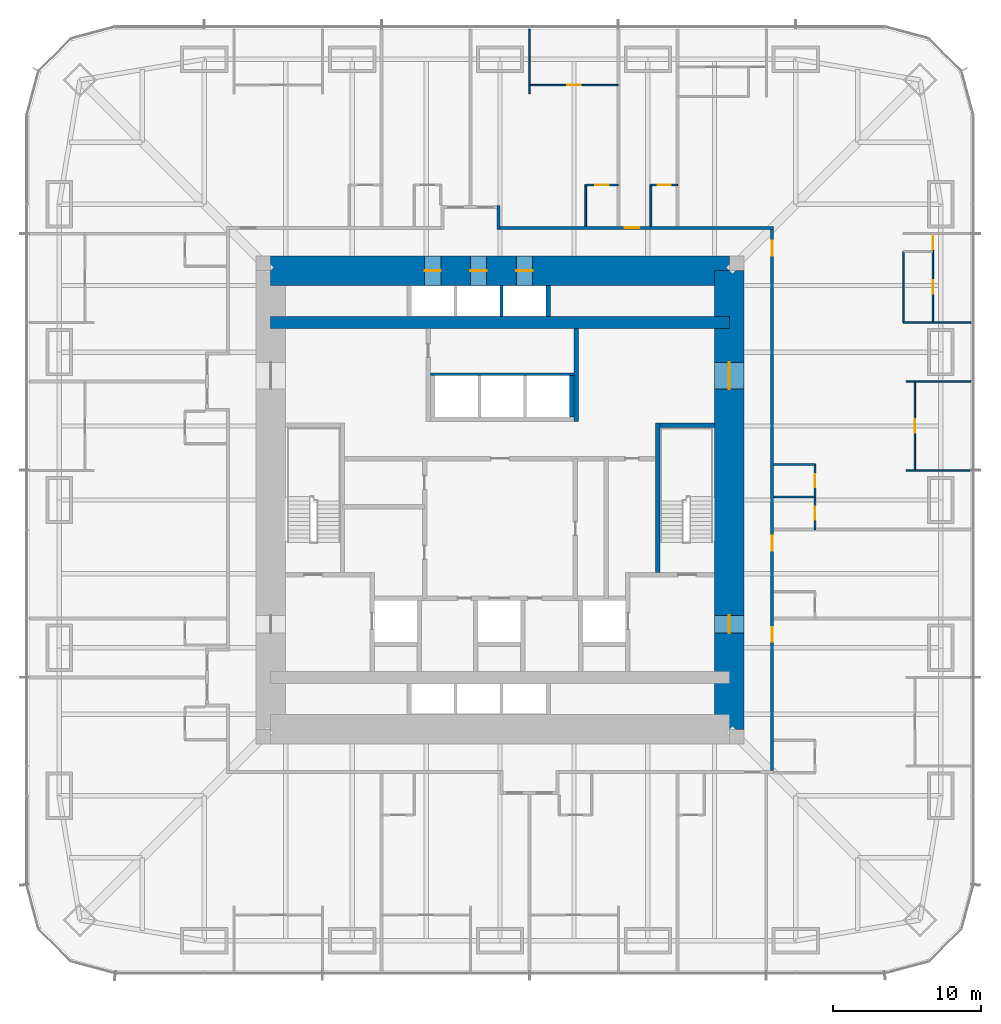
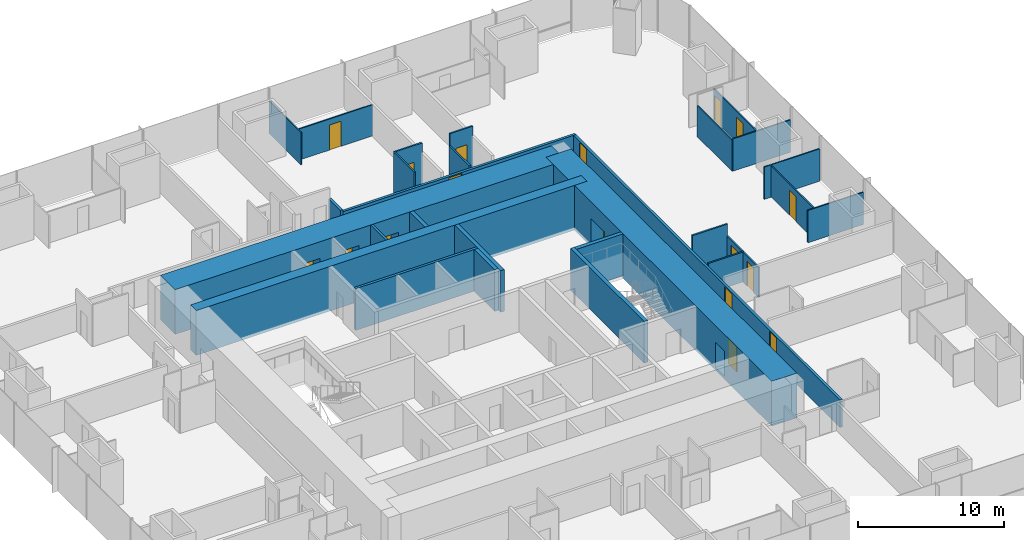
# One storey, part 18 of 20: 28 walls, 17 doors, 17 openings.
"""IFC4 building model written with IfcOpenShell, lengths in metres."""

from ifc_helpers import new_model, si_unit, direction, frame, frame_2d, origin, place, context, subcontext, project, spatial, rectangle, extrude, material, layer, layer_set, type_object, element, fill, save


model = new_model("IFC4")

# Units and contexts
model_context = context("Model", 3, precision=1e-05, world=origin(), true_north=direction((0.0, 1.0)))
body_context = subcontext(model_context, "Body", "Model", "MODEL_VIEW")
ifc_project = project(units=[si_unit("LENGTHUNIT", "METRE"), si_unit("AREAUNIT", "SQUARE_METRE"), si_unit("VOLUMEUNIT", "CUBIC_METRE"), si_unit("PLANEANGLEUNIT", "RADIAN"), si_unit("MASSUNIT", "GRAM", prefix="KILO")], contexts=[model_context])

# Site, building, storey
site_placement = place(None, origin())
site = spatial("IfcSite", under=ifc_project, at=site_placement, CompositionType="ELEMENT")
building_placement = place(site_placement, origin())
building = spatial("IfcBuilding", under=site, at=building_placement, Name="Khuree Lantern Residences", CompositionType="ELEMENT")
storey_placement = place(building_placement, frame((0.0, 0.0, 28.5)))
storey = spatial("IfcBuildingStorey", under=building, at=storey_placement, Name="L06", CompositionType="ELEMENT", Elevation=28.5)

# Wall, openings, doors
ifc_material_1 = material(Name="Moisture-resistant gypsum board on steel studs", Category="steel")
ifc_layer_1 = layer(ifc_material_1, 0.125)
ifc_layer_set_1 = layer_set([ifc_layer_1], Name="BATHROOM WALL BTW125")
wall_type_1 = type_object("IfcWallType", Name="BATHROOM WALL BTW125", PredefinedType="PARTITIONING", material=ifc_layer_set_1)
wall_1_placement = place(storey_placement, frame((21.300048828125, -2.0, 0.0), z_axis=(0.0, 0.0, 1.0), x_axis=(0.0, 1.0, 0.0)))
wall_1 = element("IfcWall", 1, at=wall_1_placement, inside=storey, type_object=wall_type_1, Name="L06 BATHROOM WALL 02", PredefinedType="PARTITIONING", context=body_context, shape_type="SweptSolid", body=[
    extrude(rectangle(XDim=4.39990234375, YDim=0.125, at=frame_2d((2.199951171875, 0.0))), origin(), (0.0, 0.0, 1.0), 2.491943359375),
])
opening_1_placement = place(wall_1_placement, frame((0.64990234375, 0.0, 0.0)))
opening_1 = element("IfcOpeningElement", 2, at=opening_1_placement, cuts=wall_1, Name="Opening 06-028", PredefinedType="OPENING", context=body_context, shape_type="SweptSolid", body=[
    extrude(rectangle(XDim=0.89990234375, YDim=2.10009765625, at=frame_2d((0.449951171875, 1.050048828125))), frame((0.0, 0.072509765625, 0.0), z_axis=(0.0, -1.0, 0.0), x_axis=(1.0, 0.0, 0.0)), (0.0, 0.0, 1.0), 0.14501953125),
])
opening_2_placement = place(wall_1_placement, frame((2.85009765625, 0.0, 0.0)))
opening_2 = element("IfcOpeningElement", 3, at=opening_2_placement, cuts=wall_1, Name="Opening 06-029", PredefinedType="OPENING", context=body_context, shape_type="SweptSolid", body=[
    extrude(rectangle(XDim=0.89990234375, YDim=2.10009765625, at=frame_2d((0.449951171875, 1.050048828125))), frame((0.0, 0.072509765625, 0.0), z_axis=(0.0, -1.0, 0.0), x_axis=(1.0, 0.0, 0.0)), (0.0, 0.0, 1.0), 0.14501953125),
])
ifc_material_2 = material(Name="Timber door leaf in hardwood frame", Category="wood")
door_type_1 = type_object("IfcDoorType", Name="BATHROOM DOOR 900X2100", OperationType="SINGLE_SWING_LEFT", PredefinedType="DOOR", material=ifc_material_2)
door_1_placement = place(opening_1_placement, origin())
door_1 = element("IfcDoor", 4, at=door_1_placement, inside=storey, type_object=door_type_1, Name="Bathroom door 06-028", OperationType="SINGLE_SWING_LEFT", OverallHeight=2.10009765625, OverallWidth=0.89990234375, PredefinedType="DOOR", context=body_context, shape_type="SweptSolid", body=[
    extrude(rectangle(XDim=0.89990234375, YDim=2.10009765625, at=frame_2d((0.449951171875, 1.050048828125))), frame((0.0, 0.02490234375, 0.0), z_axis=(0.0, -1.0, 0.0), x_axis=(1.0, 0.0, 0.0)), (0.0, 0.0, 1.0), 0.050048828125),
])
fill(opening_1, door_1)
door_2_placement = place(opening_2_placement, origin())
door_2 = element("IfcDoor", 5, at=door_2_placement, inside=storey, type_object=door_type_1, Name="Bathroom door 06-029", OperationType="SINGLE_SWING_LEFT", OverallHeight=2.10009765625, OverallWidth=0.89990234375, PredefinedType="DOOR", context=body_context, shape_type="SweptSolid", body=[
    extrude(rectangle(XDim=0.89990234375, YDim=2.10009765625, at=frame_2d((0.449951171875, 1.050048828125))), frame((0.0, 0.02490234375, 0.0), z_axis=(0.0, -1.0, 0.0), x_axis=(1.0, 0.0, 0.0)), (0.0, 0.0, 1.0), 0.050048828125),
])
fill(opening_2, door_2)

# Walls
wall_2_placement = place(storey_placement, frame((18.5, 0.199951171875, 0.0), z_axis=(0.0, 0.0, 1.0), x_axis=(1.0, 0.0, 0.0)))
element("IfcWall", 6, at=wall_2_placement, inside=storey, type_object=wall_type_1, Name="L06 BATHROOM WALL 02", PredefinedType="PARTITIONING", context=body_context, shape_type="SweptSolid", body=[
    extrude(rectangle(XDim=2.800048828125, YDim=0.125, at=frame_2d((1.39990234375, 0.0))), origin(), (0.0, 0.0, 1.0), 2.491943359375),
])
wall_3_placement = place(storey_placement, frame((18.5, 2.39990234375, 0.0), z_axis=(0.0, 0.0, 1.0), x_axis=(1.0, 0.0, 0.0)))
element("IfcWall", 7, at=wall_3_placement, inside=storey, type_object=wall_type_1, Name="L06 BATHROOM WALL 02", PredefinedType="PARTITIONING", context=body_context, shape_type="SweptSolid", body=[
    extrude(rectangle(XDim=2.800048828125, YDim=0.125, at=frame_2d((1.39990234375, 0.0))), origin(), (0.0, 0.0, 1.0), 3.5),
])

# Wall, opening, door
wall_4_placement = place(storey_placement, frame((12.0, 21.300048828125, 0.0), z_axis=(0.0, 0.0, 1.0), x_axis=(-1.0, 0.0, 0.0)))
wall_4 = element("IfcWall", 8, at=wall_4_placement, inside=storey, type_object=wall_type_1, Name="L06 BATHROOM WALL 03", PredefinedType="PARTITIONING", context=body_context, shape_type="SweptSolid", body=[
    extrude(rectangle(XDim=1.800048828125, YDim=0.125, at=frame_2d((0.89990234375, 0.0))), origin(), (0.0, 0.0, 1.0), 3.5),
])
opening_3_placement = place(wall_4_placement, frame((0.449951171875, 0.0, 0.0)))
opening_3 = element("IfcOpeningElement", 9, at=opening_3_placement, cuts=wall_4, Name="Opening 06-031", PredefinedType="OPENING", context=body_context, shape_type="SweptSolid", body=[
    extrude(rectangle(XDim=0.89990234375, YDim=2.10009765625, at=frame_2d((0.449951171875, 1.050048828125))), frame((0.0, 0.072509765625, 0.0), z_axis=(0.0, -1.0, 0.0), x_axis=(1.0, 0.0, 0.0)), (0.0, 0.0, 1.0), 0.14501953125),
])
door_3_placement = place(opening_3_placement, origin())
door_3 = element("IfcDoor", 10, at=door_3_placement, inside=storey, type_object=door_type_1, Name="Bathroom door 06-031", OperationType="SINGLE_SWING_LEFT", OverallHeight=2.10009765625, OverallWidth=0.89990234375, PredefinedType="DOOR", context=body_context, shape_type="SweptSolid", body=[
    extrude(rectangle(XDim=0.89990234375, YDim=2.10009765625, at=frame_2d((0.449951171875, 1.050048828125))), frame((0.0, 0.02490234375, 0.0), z_axis=(0.0, -1.0, 0.0), x_axis=(1.0, 0.0, 0.0)), (0.0, 0.0, 1.0), 0.050048828125),
])
fill(opening_3, door_3)

# Wall
wall_5_placement = place(storey_placement, frame((10.199951171875, 18.5, 0.0), z_axis=(0.0, 0.0, 1.0), x_axis=(0.0, 1.0, 0.0)))
element("IfcWall", 11, at=wall_5_placement, inside=storey, type_object=wall_type_1, Name="L06 BATHROOM WALL 03", PredefinedType="PARTITIONING", context=body_context, shape_type="SweptSolid", body=[
    extrude(rectangle(XDim=2.800048828125, YDim=0.125, at=frame_2d((1.39990234375, 0.0))), origin(), (0.0, 0.0, 1.0), 2.491943359375),
])

# Wall, opening, door
wall_6_placement = place(storey_placement, frame((8.0, 21.300048828125, 0.0), z_axis=(0.0, 0.0, 1.0), x_axis=(-1.0, 0.0, 0.0)))
wall_6 = element("IfcWall", 12, at=wall_6_placement, inside=storey, type_object=wall_type_1, Name="L06 BATHROOM WALL 04", PredefinedType="PARTITIONING", context=body_context, shape_type="SweptSolid", body=[
    extrude(rectangle(XDim=2.199951171875, YDim=0.125, at=frame_2d((1.10009765625, 0.0))), origin(), (0.0, 0.0, 1.0), 3.5),
])
opening_4_placement = place(wall_6_placement, frame((0.64990234375, 0.0, 0.0)))
opening_4 = element("IfcOpeningElement", 13, at=opening_4_placement, cuts=wall_6, Name="Opening 06-034", PredefinedType="OPENING", context=body_context, shape_type="SweptSolid", body=[
    extrude(rectangle(XDim=0.89990234375, YDim=2.10009765625, at=frame_2d((0.449951171875, 1.050048828125))), frame((0.0, 0.072509765625, 0.0), z_axis=(0.0, -1.0, 0.0), x_axis=(1.0, 0.0, 0.0)), (0.0, 0.0, 1.0), 0.14501953125),
])
door_4_placement = place(opening_4_placement, origin())
door_4 = element("IfcDoor", 14, at=door_4_placement, inside=storey, type_object=door_type_1, Name="Bathroom door 06-034", OperationType="SINGLE_SWING_LEFT", OverallHeight=2.10009765625, OverallWidth=0.89990234375, PredefinedType="DOOR", context=body_context, shape_type="SweptSolid", body=[
    extrude(rectangle(XDim=0.89990234375, YDim=2.10009765625, at=frame_2d((0.449951171875, 1.050048828125))), frame((0.0, 0.02490234375, 0.0), z_axis=(0.0, -1.0, 0.0), x_axis=(1.0, 0.0, 0.0)), (0.0, 0.0, 1.0), 0.050048828125),
])
fill(opening_4, door_4)

# Walls
wall_7_placement = place(storey_placement, frame((5.800048828125, 18.5, 0.0), z_axis=(0.0, 0.0, 1.0), x_axis=(0.0, 1.0, 0.0)))
element("IfcWall", 15, at=wall_7_placement, inside=storey, type_object=wall_type_1, Name="L06 BATHROOM WALL 04", PredefinedType="PARTITIONING", context=body_context, shape_type="SweptSolid", body=[
    extrude(rectangle(XDim=2.800048828125, YDim=0.125, at=frame_2d((1.39990234375, 0.0))), origin(), (0.0, 0.0, 1.0), 3.5),
])
ifc_material_3 = material(Name="Dense concrete blockwork", Category="masonry")
ifc_layer_2 = layer(ifc_material_3, 0.300048828125)
ifc_layer_set_2 = layer_set([ifc_layer_2], Name="CORE PARTITION WALL CPW300 EI 120")
wall_type_2 = type_object("IfcWallType", Name="CORE PARTITION WALL CPW300 EI 120", PredefinedType="PARTITIONING", material=ifc_layer_set_2)
wall_8_placement = place(storey_placement, frame((4.85009765625, 5.60009765625, 0.0), z_axis=(0.0, 0.0, 1.0), x_axis=(0.0, 1.0, 0.0)))
element("IfcWall", 16, at=wall_8_placement, inside=storey, type_object=wall_type_2, Name="L06 CORE WALL PHE", PredefinedType="PARTITIONING", context=body_context, shape_type="SweptSolid", body=[
    extrude(rectangle(XDim=2.7998046875, YDim=0.300048828125, at=frame_2d((1.39990234375, 0.0))), origin(), (0.0, 0.0, 1.0), 3.5),
])
wall_9_placement = place(storey_placement, frame((3.25, 12.39990234375, 0.0), z_axis=(0.0, 0.0, 1.0), x_axis=(0.0, 1.0, 0.0)))
element("IfcWall", 17, at=wall_9_placement, inside=storey, type_object=wall_type_2, Name="L06 CORE WALL PLE", PredefinedType="PARTITIONING", context=body_context, shape_type="SweptSolid", body=[
    extrude(rectangle(XDim=2.10009765625, YDim=0.300048828125, at=frame_2d((1.050048828125, 0.0))), origin(), (0.0, 0.0, 1.0), 3.5),
])
wall_10_placement = place(storey_placement, frame((5.14990234375, 5.300048828125, 0.0), z_axis=(0.0, 0.0, 1.0), x_axis=(0.0, 1.0, 0.0)))
element("IfcWall", 18, at=wall_10_placement, inside=storey, type_object=wall_type_2, Name="L06 CORE WALL NE", PredefinedType="PARTITIONING", context=body_context, shape_type="SweptSolid", body=[
    extrude(rectangle(XDim=6.300048828125, YDim=0.300048828125, at=frame_2d((3.14990234375, 0.0))), origin(), (0.0, 0.0, 1.0), 3.5),
])

# Wall, openings, doors
ifc_material_4 = material(Name="Gypsum board on steel studs", Category="steel")
ifc_layer_3 = layer(ifc_material_4, 0.199951171875)
ifc_layer_set_3 = layer_set([ifc_layer_3], Name="CORRIDOR WALL CRW200 EI 60")
wall_type_3 = type_object("IfcWallType", Name="CORRIDOR WALL CRW200 EI 60", PredefinedType="PARTITIONING", material=ifc_layer_set_3)
wall_11_placement = place(storey_placement, frame((18.39990234375, -18.300048828125, 0.0), z_axis=(0.0, 0.0, 1.0), x_axis=(0.0, 1.0, 0.0)))
wall_11 = element("IfcWall", 19, at=wall_11_placement, inside=storey, type_object=wall_type_3, Name="L06 CORRIDOR WALL EAST 1", PredefinedType="PARTITIONING", context=body_context, shape_type="SweptSolid", body=[
    extrude(rectangle(XDim=36.60009765625, YDim=0.199951171875, at=frame_2d((18.300048828125, 0.0))), origin(), (0.0, 0.0, 1.0), 2.300048828125),
])
opening_5_placement = place(wall_11_placement, frame((14.8701171875, 0.0, 0.0)))
opening_5 = element("IfcOpeningElement", 20, at=opening_5_placement, cuts=wall_11, Name="Opening 06-022", PredefinedType="OPENING", context=body_context, shape_type="SweptSolid", body=[
    extrude(rectangle(XDim=1.0, YDim=2.199951171875, at=frame_2d((0.5, 1.10009765625))), frame((0.0, 0.10986328125, 0.0), z_axis=(0.0, -1.0, 0.0), x_axis=(1.0, 0.0, 0.0)), (0.0, 0.0, 1.0), 0.219970703125),
])
opening_6_placement = place(wall_11_placement, frame((34.820068359375, 0.0, 0.0)))
opening_6 = element("IfcOpeningElement", 21, at=opening_6_placement, cuts=wall_11, Name="Opening 06-030", PredefinedType="OPENING", context=body_context, shape_type="SweptSolid", body=[
    extrude(rectangle(XDim=1.0, YDim=2.199951171875, at=frame_2d((0.5, 1.10009765625))), frame((0.0, 0.10986328125, 0.0), z_axis=(0.0, -1.0, 0.0), x_axis=(1.0, 0.0, 0.0)), (0.0, 0.0, 1.0), 0.219970703125),
])
opening_7_placement = place(wall_11_placement, frame((8.699951171875, 0.0, 0.0)))
opening_7 = element("IfcOpeningElement", 22, at=opening_7_placement, cuts=wall_11, Name="Opening 06-062", PredefinedType="OPENING", context=body_context, shape_type="SweptSolid", body=[
    extrude(rectangle(XDim=1.0, YDim=2.199951171875, at=frame_2d((0.5, 1.10009765625))), frame((0.0, 0.10986328125, 0.0), z_axis=(0.0, -1.0, 0.0), x_axis=(1.0, 0.0, 0.0)), (0.0, 0.0, 1.0), 0.219970703125),
])
door_type_2 = type_object("IfcDoorType", Name="APARTMENT ENTRANCE DOOR 1000X2200 EI 30S", OperationType="SINGLE_SWING_LEFT", PredefinedType="DOOR", material=ifc_material_2)
door_5_placement = place(opening_5_placement, origin())
door_5 = element("IfcDoor", 23, at=door_5_placement, inside=storey, type_object=door_type_2, Name="Apartment 01 entrance door 06-022", OperationType="SINGLE_SWING_LEFT", OverallHeight=2.199951171875, OverallWidth=1.0, PredefinedType="DOOR", context=body_context, shape_type="SweptSolid", body=[
    extrude(rectangle(XDim=1.0, YDim=2.199951171875, at=frame_2d((0.5, 1.10009765625))), frame((0.0, 0.02490234375, 0.0), z_axis=(0.0, -1.0, 0.0), x_axis=(1.0, 0.0, 0.0)), (0.0, 0.0, 1.0), 0.050048828125),
])
fill(opening_5, door_5)
door_6_placement = place(opening_7_placement, origin())
door_6 = element("IfcDoor", 24, at=door_6_placement, inside=storey, type_object=door_type_2, Name="Apartment 14 entrance door 06-062", OperationType="SINGLE_SWING_LEFT", OverallHeight=2.199951171875, OverallWidth=1.0, PredefinedType="DOOR", context=body_context, shape_type="SweptSolid", body=[
    extrude(rectangle(XDim=1.0, YDim=2.199951171875, at=frame_2d((0.5, 1.10009765625))), frame((0.0, 0.02490234375, 0.0), z_axis=(0.0, -1.0, 0.0), x_axis=(1.0, 0.0, 0.0)), (0.0, 0.0, 1.0), 0.050048828125),
])
fill(opening_7, door_6)
door_type_3 = type_object("IfcDoorType", Name="APARTMENT ENTRANCE DOOR 1000X2200 EI 30S RIGHT HAND", OperationType="SINGLE_SWING_RIGHT", PredefinedType="DOOR", material=ifc_material_2)
door_7_placement = place(opening_6_placement, origin())
door_7 = element("IfcDoor", 25, at=door_7_placement, inside=storey, type_object=door_type_3, Name="Apartment 02 entrance door 06-030", OperationType="SINGLE_SWING_RIGHT", OverallHeight=2.199951171875, OverallWidth=1.0, PredefinedType="DOOR", context=body_context, shape_type="SweptSolid", body=[
    extrude(rectangle(XDim=1.0, YDim=2.199951171875, at=frame_2d((0.5, 1.10009765625))), frame((0.0, 0.02490234375, 0.0), z_axis=(0.0, -1.0, 0.0), x_axis=(1.0, 0.0, 0.0)), (0.0, 0.0, 1.0), 0.050048828125),
])
fill(opening_6, door_7)

# Wall
wall_12_placement = place(storey_placement, frame((-0.10009765625, 18.300048828125, 0.0), z_axis=(0.0, 0.0, 1.0), x_axis=(0.0, 1.0, 0.0)))
element("IfcWall", 26, at=wall_12_placement, inside=storey, type_object=wall_type_3, Name="L06 CORRIDOR ALCOVE WALL NORTH", PredefinedType="PARTITIONING", context=body_context, shape_type="SweptSolid", body=[
    extrude(rectangle(XDim=1.599853515625, YDim=0.199951171875, at=frame_2d((0.7998046875, 0.0))), origin(), (0.0, 0.0, 1.0), 2.491943359375),
])

# Wall, opening, door
wall_13_placement = place(storey_placement, frame((0.0, 18.39990234375, 0.0), z_axis=(0.0, 0.0, 1.0), x_axis=(1.0, 0.0, 0.0)))
wall_13 = element("IfcWall", 27, at=wall_13_placement, inside=storey, type_object=wall_type_3, Name="L06 CORRIDOR WALL NORTH 2", PredefinedType="PARTITIONING", context=body_context, shape_type="SweptSolid", body=[
    extrude(rectangle(XDim=18.5, YDim=0.199951171875, at=frame_2d((9.25, 0.0))), origin(), (0.0, 0.0, 1.0), 2.300048828125),
])
opening_8_placement = place(wall_13_placement, frame((8.429931640625, 0.0, 0.0)))
opening_8 = element("IfcOpeningElement", 28, at=opening_8_placement, cuts=wall_13, Name="Opening 06-032", PredefinedType="OPENING", context=body_context, shape_type="SweptSolid", body=[
    extrude(rectangle(XDim=1.0, YDim=2.199951171875, at=frame_2d((0.5, 1.10009765625))), frame((0.0, 0.10986328125, 0.0), z_axis=(0.0, -1.0, 0.0), x_axis=(1.0, 0.0, 0.0)), (0.0, 0.0, 1.0), 0.219970703125),
])
door_8_placement = place(opening_8_placement, origin())
door_8 = element("IfcDoor", 29, at=door_8_placement, inside=storey, type_object=door_type_2, Name="Apartment 03 entrance door 06-032", OperationType="SINGLE_SWING_LEFT", OverallHeight=2.199951171875, OverallWidth=1.0, PredefinedType="DOOR", context=body_context, shape_type="SweptSolid", body=[
    extrude(rectangle(XDim=1.0, YDim=2.199951171875, at=frame_2d((0.5, 1.10009765625))), frame((0.0, 0.02490234375, 0.0), z_axis=(0.0, -1.0, 0.0), x_axis=(1.0, 0.0, 0.0)), (0.0, 0.0, 1.0), 0.050048828125),
])
fill(opening_8, door_8)

# Wall, openings, doors
ifc_material_5 = material(Name="Concrete C70/85", Category="concrete")
ifc_layer_4 = layer(ifc_material_5, 2.0)
ifc_layer_set_4 = layer_set([ifc_layer_4], Name="CW2000-C70 CORE WALL C70 2000")
wall_type_4 = type_object("IfcWallType", Name="CW2000-C70 CORE WALL C70 2000", PredefinedType="SHEAR", material=ifc_layer_set_4)
wall_14_placement = place(storey_placement, frame((15.5, -15.5, -0.25), z_axis=(0.0, 0.0, 1.0), x_axis=(0.0, 1.0, 0.0)))
wall_14 = element("IfcWall", 30, at=wall_14_placement, inside=storey, type_object=wall_type_4, Name="Core wall E", PredefinedType="SHEAR", context=body_context, shape_type="SweptSolid", body=[
    extrude(rectangle(XDim=31.0, YDim=2.0, at=frame_2d((15.5, 0.0))), origin(), (0.0, 0.0, 1.0), 3.75),
])
opening_9_placement = place(wall_14_placement, frame((6.5, 0.0, 0.25)))
opening_9 = element("IfcOpeningElement", 31, at=opening_9_placement, cuts=wall_14, Name="Opening 06-005", PredefinedType="OPENING", context=body_context, shape_type="SweptSolid", body=[
    extrude(rectangle(XDim=1.199951171875, YDim=2.10009765625, at=frame_2d((0.60009765625, 1.050048828125))), frame((0.0, 1.010009765625, 0.0), z_axis=(0.0, -1.0, 0.0), x_axis=(1.0, 0.0, 0.0)), (0.0, 0.0, 1.0), 2.02001953125),
])
opening_10_placement = place(wall_14_placement, frame((23.0, 0.0, 0.25)))
opening_10 = element("IfcOpeningElement", 32, at=opening_10_placement, cuts=wall_14, Name="Opening 06-006", PredefinedType="OPENING", context=body_context, shape_type="SweptSolid", body=[
    extrude(rectangle(XDim=1.800048828125, YDim=2.10009765625, at=frame_2d((0.89990234375, 1.050048828125))), frame((0.0, 1.010009765625, 0.0), z_axis=(0.0, -1.0, 0.0), x_axis=(1.0, 0.0, 0.0)), (0.0, 0.0, 1.0), 2.02001953125),
])
ifc_material_6 = material(Name="Steel door leaf in steel frame", Category="steel")
door_type_4 = type_object("IfcDoorType", Name="LOBBY DOOR 1200X2100 EI 120", OperationType="SINGLE_SWING_LEFT", PredefinedType="DOOR", material=ifc_material_6)
door_9_placement = place(opening_9_placement, origin())
door_9 = element("IfcDoor", 33, at=door_9_placement, inside=storey, type_object=door_type_4, Name="Firefighting lobby door 06-005", OperationType="SINGLE_SWING_LEFT", OverallHeight=2.10009765625, OverallWidth=1.199951171875, PredefinedType="DOOR", context=body_context, shape_type="SweptSolid", body=[
    extrude(rectangle(XDim=1.199951171875, YDim=2.10009765625, at=frame_2d((0.60009765625, 1.050048828125))), frame((0.0, 0.02490234375, 0.0), z_axis=(0.0, -1.0, 0.0), x_axis=(1.0, 0.0, 0.0)), (0.0, 0.0, 1.0), 0.050048828125),
])
fill(opening_9, door_9)
door_type_5 = type_object("IfcDoorType", Name="LOBBY DOUBLE DOOR 1800X2100 EI 60", OperationType="DOUBLE_DOOR_SINGLE_SWING", PredefinedType="DOOR", material=ifc_material_6)
door_10_placement = place(opening_10_placement, origin())
door_10 = element("IfcDoor", 34, at=door_10_placement, inside=storey, type_object=door_type_5, Name="Lift lobby door 06-006", OperationType="DOUBLE_DOOR_SINGLE_SWING", OverallHeight=2.10009765625, OverallWidth=1.800048828125, PredefinedType="DOOR", context=body_context, shape_type="SweptSolid", body=[
    extrude(rectangle(XDim=1.800048828125, YDim=2.10009765625, at=frame_2d((0.89990234375, 1.050048828125))), frame((0.0, 0.02490234375, 0.0), z_axis=(0.0, -1.0, 0.0), x_axis=(1.0, 0.0, 0.0)), (0.0, 0.0, 1.0), 0.050048828125),
])
fill(opening_10, door_10)

wall_15_placement = place(storey_placement, frame((-15.5, 15.5, -0.25), z_axis=(0.0, 0.0, 1.0), x_axis=(1.0, 0.0, 0.0)))
wall_15 = element("IfcWall", 35, at=wall_15_placement, inside=storey, type_object=wall_type_4, Name="Core wall N", PredefinedType="SHEAR", context=body_context, shape_type="SweptSolid", body=[
    extrude(rectangle(XDim=31.0, YDim=2.0, at=frame_2d((15.5, 0.0))), origin(), (0.0, 0.0, 1.0), 3.75),
])
opening_11_placement = place(wall_15_placement, frame((10.39990234375, 0.0, 0.25)))
opening_11 = element("IfcOpeningElement", 36, at=opening_11_placement, cuts=wall_15, Name="Opening 06-009", PredefinedType="OPENING", context=body_context, shape_type="SweptSolid", body=[
    extrude(rectangle(XDim=1.10009765625, YDim=2.10009765625, at=frame_2d((0.550048828125, 1.050048828125))), frame((0.0, 1.010009765625, 0.0), z_axis=(0.0, -1.0, 0.0), x_axis=(1.0, 0.0, 0.0)), (0.0, 0.0, 1.0), 2.02001953125),
])
opening_12_placement = place(wall_15_placement, frame((13.5, 0.0, 0.25)))
opening_12 = element("IfcOpeningElement", 37, at=opening_12_placement, cuts=wall_15, Name="Opening 06-010", PredefinedType="OPENING", context=body_context, shape_type="SweptSolid", body=[
    extrude(rectangle(XDim=1.10009765625, YDim=2.10009765625, at=frame_2d((0.550048828125, 1.050048828125))), frame((0.0, 1.010009765625, 0.0), z_axis=(0.0, -1.0, 0.0), x_axis=(1.0, 0.0, 0.0)), (0.0, 0.0, 1.0), 2.02001953125),
])
opening_13_placement = place(wall_15_placement, frame((16.60009765625, 0.0, 0.25)))
opening_13 = element("IfcOpeningElement", 38, at=opening_13_placement, cuts=wall_15, Name="Opening 06-011", PredefinedType="OPENING", context=body_context, shape_type="SweptSolid", body=[
    extrude(rectangle(XDim=1.10009765625, YDim=2.10009765625, at=frame_2d((0.550048828125, 1.050048828125))), frame((0.0, 1.010009765625, 0.0), z_axis=(0.0, -1.0, 0.0), x_axis=(1.0, 0.0, 0.0)), (0.0, 0.0, 1.0), 2.02001953125),
])
ifc_material_7 = material(Name="Stainless steel lift landing door", Category="steel")
door_type_6 = type_object("IfcDoorType", Name="LIFT LANDING DOOR 1100X2100 E 60", OperationType="DOUBLE_DOOR_SLIDING", PredefinedType="DOOR", material=ifc_material_7)
door_11_placement = place(opening_11_placement, origin())
door_11 = element("IfcDoor", 39, at=door_11_placement, inside=storey, type_object=door_type_6, Name="Landing door PL1 06-009", OperationType="DOUBLE_DOOR_SLIDING", OverallHeight=2.10009765625, OverallWidth=1.10009765625, PredefinedType="DOOR", context=body_context, shape_type="SweptSolid", body=[
    extrude(rectangle(XDim=1.10009765625, YDim=2.10009765625, at=frame_2d((0.550048828125, 1.050048828125))), frame((0.0, 0.02490234375, 0.0), z_axis=(0.0, -1.0, 0.0), x_axis=(1.0, 0.0, 0.0)), (0.0, 0.0, 1.0), 0.050048828125),
])
fill(opening_11, door_11)
door_12_placement = place(opening_12_placement, origin())
door_12 = element("IfcDoor", 40, at=door_12_placement, inside=storey, type_object=door_type_6, Name="Landing door PL2 06-010", OperationType="DOUBLE_DOOR_SLIDING", OverallHeight=2.10009765625, OverallWidth=1.10009765625, PredefinedType="DOOR", context=body_context, shape_type="SweptSolid", body=[
    extrude(rectangle(XDim=1.10009765625, YDim=2.10009765625, at=frame_2d((0.550048828125, 1.050048828125))), frame((0.0, 0.02490234375, 0.0), z_axis=(0.0, -1.0, 0.0), x_axis=(1.0, 0.0, 0.0)), (0.0, 0.0, 1.0), 0.050048828125),
])
fill(opening_12, door_12)
door_13_placement = place(opening_13_placement, origin())
door_13 = element("IfcDoor", 41, at=door_13_placement, inside=storey, type_object=door_type_6, Name="Landing door PL3 06-011", OperationType="DOUBLE_DOOR_SLIDING", OverallHeight=2.10009765625, OverallWidth=1.10009765625, PredefinedType="DOOR", context=body_context, shape_type="SweptSolid", body=[
    extrude(rectangle(XDim=1.10009765625, YDim=2.10009765625, at=frame_2d((0.550048828125, 1.050048828125))), frame((0.0, 0.02490234375, 0.0), z_axis=(0.0, -1.0, 0.0), x_axis=(1.0, 0.0, 0.0)), (0.0, 0.0, 1.0), 0.050048828125),
])
fill(opening_13, door_13)

# Walls
ifc_layer_5 = layer(ifc_material_4, 0.10009765625)
ifc_layer_set_5 = layer_set([ifc_layer_5], Name="PARTITION PT100")
wall_type_5 = type_object("IfcWallType", Name="PARTITION PT100", PredefinedType="PARTITIONING", material=ifc_layer_set_5)
for number, where, z_axis, x_axis, name in (
    (42, (27.449951171875, 2.0, 0.0), (0.0, 0.0, 1.0), (1.0, 0.0, 0.0), "L06 PARTITION 02"),
    (43, (27.449951171875, 8.0, 0.0), (0.0, 0.0, 1.0), (1.0, 0.0, 0.0), "L06 PARTITION 02"),
):
    element("IfcWall", number, at=place(storey_placement, frame(where, z_axis=z_axis, x_axis=x_axis)), inside=storey, type_object=wall_type_5, Name=name, PredefinedType="PARTITIONING", context=body_context, shape_type="SweptSolid", body=[
        extrude(rectangle(XDim=4.400146484375, YDim=0.10009765625, at=frame_2d((2.2001953125, 0.0))), origin(), (0.0, 0.0, 1.0), 2.7099609375),
    ])
wall_16_placement = place(storey_placement, frame((27.2666015625, 12.0, 0.0), z_axis=(0.0, 0.0, 1.0), x_axis=(1.0, 0.0, 0.0)))
element("IfcWall", 44, at=wall_16_placement, inside=storey, type_object=wall_type_5, Name="L06 PARTITION 02", PredefinedType="PARTITIONING", context=body_context, shape_type="SweptSolid", body=[
    extrude(rectangle(XDim=4.58349609375, YDim=0.10009765625, at=frame_2d((2.291748046875, 0.0))), origin(), (0.0, 0.0, 1.0), 2.7099609375),
])
wall_17_placement = place(storey_placement, frame((2.0, 27.449951171875, 0.0), z_axis=(0.0, 0.0, 1.0), x_axis=(0.0, 1.0, 0.0)))
element("IfcWall", 45, at=wall_17_placement, inside=storey, type_object=wall_type_5, Name="L06 PARTITION 04", PredefinedType="PARTITIONING", context=body_context, shape_type="SweptSolid", body=[
    extrude(rectangle(XDim=4.400146484375, YDim=0.10009765625, at=frame_2d((2.2001953125, 0.0))), origin(), (0.0, 0.0, 1.0), 2.7099609375),
])

# Wall, opening, door
wall_18_placement = place(storey_placement, frame((28.050048828125, 2.0, 0.0), z_axis=(0.0, 0.0, 1.0), x_axis=(0.0, 1.0, 0.0)))
wall_18 = element("IfcWall", 46, at=wall_18_placement, inside=storey, type_object=wall_type_5, Name="L06 PARTITION 02", PredefinedType="PARTITIONING", context=body_context, shape_type="SweptSolid", body=[
    extrude(rectangle(XDim=6.0, YDim=0.10009765625, at=frame_2d((3.0, 0.0))), origin(), (0.0, 0.0, 1.0), 2.610107421875),
])
opening_14_placement = place(wall_18_placement, frame((2.550048828125, 0.0, 0.0)))
opening_14 = element("IfcOpeningElement", 47, at=opening_14_placement, cuts=wall_18, Name="Opening 06-023", PredefinedType="OPENING", context=body_context, shape_type="SweptSolid", body=[
    extrude(rectangle(XDim=0.89990234375, YDim=2.10009765625, at=frame_2d((0.449951171875, 1.050048828125))), frame((0.0, 0.06005859375, 0.0), z_axis=(0.0, -1.0, 0.0), x_axis=(1.0, 0.0, 0.0)), (0.0, 0.0, 1.0), 0.1201171875),
])
door_type_7 = type_object("IfcDoorType", Name="BEDROOM DOOR 900X2100", OperationType="SINGLE_SWING_LEFT", PredefinedType="DOOR", material=ifc_material_2)
door_14_placement = place(opening_14_placement, origin())
door_14 = element("IfcDoor", 48, at=door_14_placement, inside=storey, type_object=door_type_7, Name="Bedroom door 06-023", OperationType="SINGLE_SWING_LEFT", OverallHeight=2.10009765625, OverallWidth=0.89990234375, PredefinedType="DOOR", context=body_context, shape_type="SweptSolid", body=[
    extrude(rectangle(XDim=0.89990234375, YDim=2.10009765625, at=frame_2d((0.449951171875, 1.050048828125))), frame((0.0, 0.02490234375, 0.0), z_axis=(0.0, -1.0, 0.0), x_axis=(1.0, 0.0, 0.0)), (0.0, 0.0, 1.0), 0.050048828125),
])
fill(opening_14, door_14)

# Wall, openings, doors
wall_19_placement = place(storey_placement, frame((29.2666015625, 12.0, 0.0), z_axis=(0.0, 0.0, 1.0), x_axis=(0.0, 1.0, 0.0)))
wall_19 = element("IfcWall", 49, at=wall_19_placement, inside=storey, type_object=wall_type_5, Name="L06 PARTITION 02", PredefinedType="PARTITIONING", context=body_context, shape_type="SweptSolid", body=[
    extrude(rectangle(XDim=6.0, YDim=0.10009765625, at=frame_2d((3.0, 0.0))), origin(), (0.0, 0.0, 1.0), 2.610107421875),
])
opening_15_placement = place(wall_19_placement, frame((4.949951171875, 0.0, 0.0)))
opening_15 = element("IfcOpeningElement", 50, at=opening_15_placement, cuts=wall_19, Name="Opening 06-024", PredefinedType="OPENING", context=body_context, shape_type="SweptSolid", body=[
    extrude(rectangle(XDim=0.89990234375, YDim=2.10009765625, at=frame_2d((0.449951171875, 1.050048828125))), frame((0.0, 0.06005859375, 0.0), z_axis=(0.0, -1.0, 0.0), x_axis=(1.0, 0.0, 0.0)), (0.0, 0.0, 1.0), 0.1201171875),
])
opening_16_placement = place(wall_19_placement, frame((1.949951171875, 0.0, 0.0)))
opening_16 = element("IfcOpeningElement", 51, at=opening_16_placement, cuts=wall_19, Name="Opening 06-025", PredefinedType="OPENING", context=body_context, shape_type="SweptSolid", body=[
    extrude(rectangle(XDim=0.89990234375, YDim=2.10009765625, at=frame_2d((0.449951171875, 1.050048828125))), frame((0.0, 0.06005859375, 0.0), z_axis=(0.0, -1.0, 0.0), x_axis=(1.0, 0.0, 0.0)), (0.0, 0.0, 1.0), 0.1201171875),
])
door_15_placement = place(opening_15_placement, origin())
door_15 = element("IfcDoor", 52, at=door_15_placement, inside=storey, type_object=door_type_7, Name="Bedroom door 06-024", OperationType="SINGLE_SWING_LEFT", OverallHeight=2.10009765625, OverallWidth=0.89990234375, PredefinedType="DOOR", context=body_context, shape_type="SweptSolid", body=[
    extrude(rectangle(XDim=0.89990234375, YDim=2.10009765625, at=frame_2d((0.449951171875, 1.050048828125))), frame((0.0, 0.02490234375, 0.0), z_axis=(0.0, -1.0, 0.0), x_axis=(1.0, 0.0, 0.0)), (0.0, 0.0, 1.0), 0.050048828125),
])
fill(opening_15, door_15)
door_type_8 = type_object("IfcDoorType", Name="DOOR 900X2100", OperationType="SINGLE_SWING_LEFT", PredefinedType="DOOR", material=ifc_material_2)
door_16_placement = place(opening_16_placement, origin())
door_16 = element("IfcDoor", 53, at=door_16_placement, inside=storey, type_object=door_type_8, Name="Wardrobe door 06-025", OperationType="SINGLE_SWING_LEFT", OverallHeight=2.10009765625, OverallWidth=0.89990234375, PredefinedType="DOOR", context=body_context, shape_type="SweptSolid", body=[
    extrude(rectangle(XDim=0.89990234375, YDim=2.10009765625, at=frame_2d((0.449951171875, 1.050048828125))), frame((0.0, 0.02490234375, 0.0), z_axis=(0.0, -1.0, 0.0), x_axis=(1.0, 0.0, 0.0)), (0.0, 0.0, 1.0), 0.050048828125),
])
fill(opening_16, door_16)

# Wall
wall_20_placement = place(storey_placement, frame((27.2666015625, 12.0, 0.0), z_axis=(0.0, 0.0, 1.0), x_axis=(0.0, 1.0, 0.0)))
element("IfcWall", 54, at=wall_20_placement, inside=storey, type_object=wall_type_5, Name="L06 PARTITION 02", PredefinedType="PARTITIONING", context=body_context, shape_type="SweptSolid", body=[
    extrude(rectangle(XDim=4.800048828125, YDim=0.10009765625, at=frame_2d((2.39990234375, 0.0))), origin(), (0.0, 0.0, 1.0), 2.610107421875),
])

# Wall, opening, door
wall_21_placement = place(storey_placement, frame((8.0, 28.050048828125, 0.0), z_axis=(0.0, 0.0, 1.0), x_axis=(-1.0, 0.0, 0.0)))
wall_21 = element("IfcWall", 55, at=wall_21_placement, inside=storey, type_object=wall_type_5, Name="L06 PARTITION 04", PredefinedType="PARTITIONING", context=body_context, shape_type="SweptSolid", body=[
    extrude(rectangle(XDim=6.0, YDim=0.10009765625, at=frame_2d((3.0, 0.0))), origin(), (0.0, 0.0, 1.0), 2.610107421875),
])
opening_17_placement = place(wall_21_placement, frame((2.550048828125, 0.0, 0.0)))
opening_17 = element("IfcOpeningElement", 56, at=opening_17_placement, cuts=wall_21, Name="Opening 06-033", PredefinedType="OPENING", context=body_context, shape_type="SweptSolid", body=[
    extrude(rectangle(XDim=0.89990234375, YDim=2.10009765625, at=frame_2d((0.449951171875, 1.050048828125))), frame((0.0, 0.06005859375, 0.0), z_axis=(0.0, -1.0, 0.0), x_axis=(1.0, 0.0, 0.0)), (0.0, 0.0, 1.0), 0.1201171875),
])
door_17_placement = place(opening_17_placement, origin())
door_17 = element("IfcDoor", 57, at=door_17_placement, inside=storey, type_object=door_type_7, Name="Bedroom door 06-033", OperationType="SINGLE_SWING_LEFT", OverallHeight=2.10009765625, OverallWidth=0.89990234375, PredefinedType="DOOR", context=body_context, shape_type="SweptSolid", body=[
    extrude(rectangle(XDim=0.89990234375, YDim=2.10009765625, at=frame_2d((0.449951171875, 1.050048828125))), frame((0.0, 0.02490234375, 0.0), z_axis=(0.0, -1.0, 0.0), x_axis=(1.0, 0.0, 0.0)), (0.0, 0.0, 1.0), 0.050048828125),
])
fill(opening_17, door_17)

# Walls
ifc_layer_6 = layer(ifc_material_3, 0.199951171875)
ifc_layer_set_6 = layer_set([ifc_layer_6], Name="SHAFT WALL SHW200 EI 120")
wall_type_6 = type_object("IfcWallType", Name="SHAFT WALL SHW200 EI 120", PredefinedType="PARTITIONING", material=ifc_layer_set_6)
wall_22_placement = place(storey_placement, frame((-4.699951171875, 8.5, 0.0), z_axis=(0.0, 0.0, 1.0), x_axis=(1.0, 0.0, 0.0)))
element("IfcWall", 58, at=wall_22_placement, inside=storey, type_object=wall_type_6, Name="L06 CORE WALL PHN", PredefinedType="PARTITIONING", context=body_context, shape_type="SweptSolid", body=[
    extrude(rectangle(XDim=9.699951171875, YDim=0.199951171875, at=frame_2d((4.85009765625, 0.0))), origin(), (0.0, 0.0, 1.0), 3.5),
])
wall_23_placement = place(storey_placement, frame((0.10009765625, 12.39990234375, 0.0), z_axis=(0.0, 0.0, 1.0), x_axis=(0.0, 1.0, 0.0)))
element("IfcWall", 59, at=wall_23_placement, inside=storey, type_object=wall_type_6, Name="L06 CORE WALL PLD2", PredefinedType="PARTITIONING", context=body_context, shape_type="SweptSolid", body=[
    extrude(rectangle(XDim=2.10009765625, YDim=0.199951171875, at=frame_2d((1.050048828125, 0.0))), origin(), (0.0, 0.0, 1.0), 3.5),
])
ifc_layer_7 = layer(ifc_material_5, 0.800048828125)
ifc_layer_set_7 = layer_set([ifc_layer_7], Name="SP800-C70 CORE SPINE WALL C70 800")
wall_type_7 = type_object("IfcWallType", Name="SP800-C70 CORE SPINE WALL C70 800", PredefinedType="SHEAR", material=ifc_layer_set_7)
wall_24_placement = place(storey_placement, frame((-15.5, 12.0, -0.25), z_axis=(0.0, 0.0, 1.0), x_axis=(1.0, 0.0, 0.0)))
element("IfcWall", 60, at=wall_24_placement, inside=storey, type_object=wall_type_7, Name="Core wall SPN", PredefinedType="SHEAR", context=body_context, shape_type="SweptSolid", body=[
    extrude(rectangle(XDim=31.0, YDim=0.800048828125, at=frame_2d((15.5, 0.0))), origin(), (0.0, 0.0, 1.0), 3.75),
])
ifc_material_8 = material(Name="Concrete C50/60", Category="concrete")
ifc_layer_8 = layer(ifc_material_8, 0.300048828125)
ifc_layer_set_8 = layer_set([ifc_layer_8], Name="STAIR WALL SRW300 C50/60 REI 240")
wall_type_8 = type_object("IfcWallType", Name="STAIR WALL SRW300 C50/60 REI 240", PredefinedType="SOLIDWALL", material=ifc_layer_set_8)
wall_25_placement = place(storey_placement, frame((10.64990234375, -4.89990234375, 0.0), z_axis=(0.0, 0.0, 1.0), x_axis=(0.0, 1.0, 0.0)))
element("IfcWall", 61, at=wall_25_placement, inside=storey, type_object=wall_type_8, Name="L06 STAIR WALL ST2E", PredefinedType="SOLIDWALL", context=body_context, shape_type="SweptSolid", body=[
    extrude(rectangle(XDim=10.099853515625, YDim=0.300048828125, at=frame_2d((5.0498046875, 0.0))), origin(), (0.0, 0.0, 1.0), 3.5),
])
wall_26_placement = place(storey_placement, frame((14.5, 5.050048828125, 0.0), z_axis=(0.0, 0.0, 1.0), x_axis=(-1.0, 0.0, 0.0)))
element("IfcWall", 62, at=wall_26_placement, inside=storey, type_object=wall_type_8, Name="L06 STAIR WALL ST2N", PredefinedType="SOLIDWALL", context=body_context, shape_type="SweptSolid", body=[
    extrude(rectangle(XDim=3.699951171875, YDim=0.300048828125, at=frame_2d((1.85009765625, 0.0))), origin(), (0.0, 0.0, 1.0), 3.5),
])

save(model, "model.ifc")
